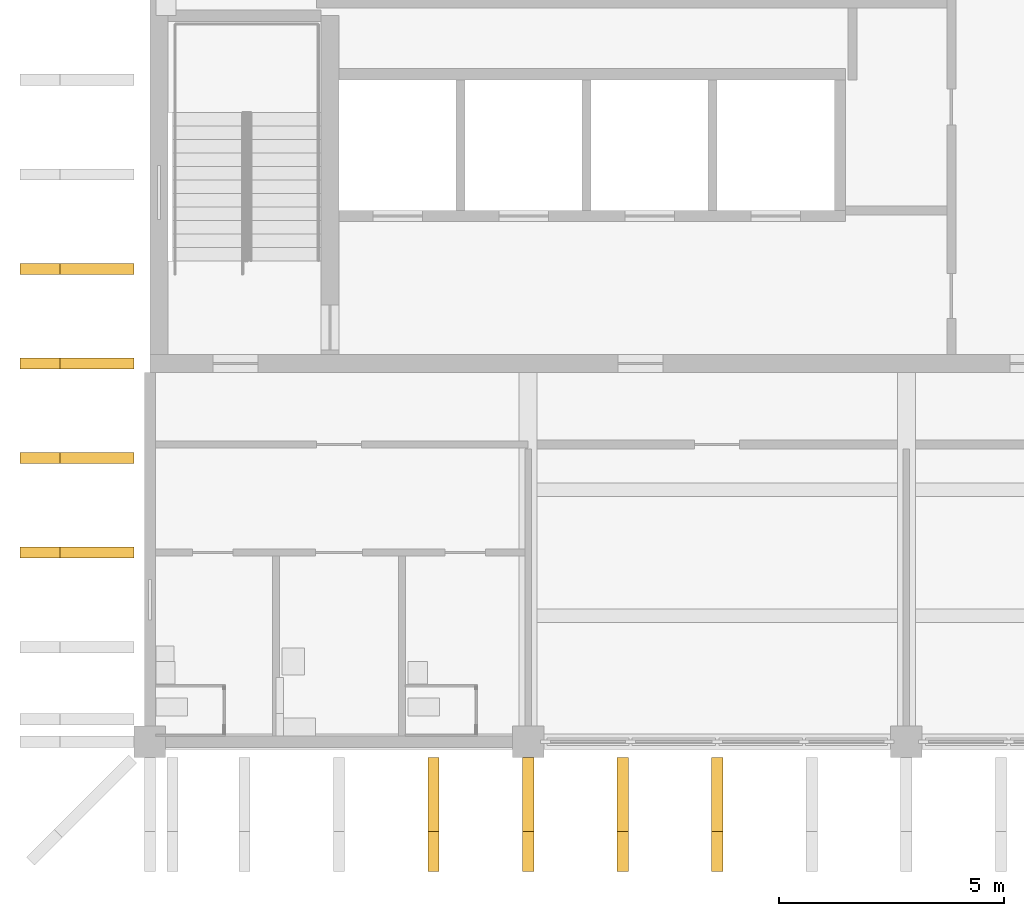
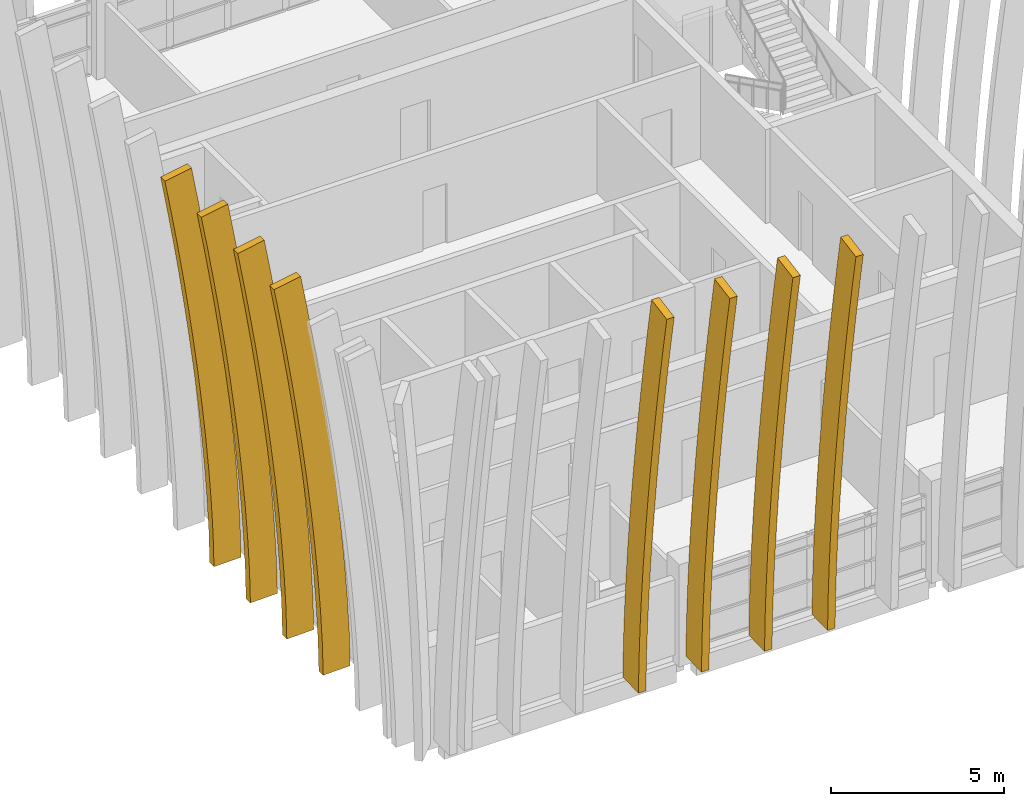
# One storey, part 10 of 19: 8 shading devices.
"""IFC4 building model written with IfcOpenShell, lengths in metres."""

from ifc_helpers import new_model, si_unit, direction, frame, origin, origin_2d, place, context, subcontext, project, spatial, rectangle, faceted_brep, material, material_profile, profile_set, type_object, element, save


model = new_model("IFC4")

# Units and contexts
model_context = context("Model", 3, precision=1e-05, world=origin(), true_north=direction((0.0, 1.0)))
body_context = subcontext(model_context, "Body", "Model", "MODEL_VIEW")
ifc_project = project(units=[si_unit("LENGTHUNIT", "METRE"), si_unit("AREAUNIT", "SQUARE_METRE"), si_unit("VOLUMEUNIT", "CUBIC_METRE"), si_unit("PLANEANGLEUNIT", "RADIAN"), si_unit("MASSUNIT", "GRAM", prefix="KILO")], contexts=[model_context])

# Site, building, storey
site_placement = place(None, origin())
site = spatial("IfcSite", under=ifc_project, at=site_placement, CompositionType="ELEMENT")
building_placement = place(site_placement, origin())
building = spatial("IfcBuilding", under=site, at=building_placement, Name="Rulbaag Community and Learning Centre", CompositionType="ELEMENT")
storey_placement = place(building_placement, frame((0.0, 0.0, 57.60009765625)))
storey = spatial("IfcBuildingStorey", under=building, at=storey_placement, Name="L15", CompositionType="ELEMENT", Elevation=57.60009765625)

# Shading devices
ifc_material = material(Name="Concrete M40", Category="concrete")
ifc_material_profile = material_profile(ifc_material, rectangle(XDim=0.25, YDim=0.89990234375, at=origin_2d()), Name="PC 250x900")
ifc_profile_set = profile_set([ifc_material_profile], Name="Concrete M40")
shading_device_type = type_object("IfcShadingDeviceType", Name="FIN-H", PredefinedType="JALOUSIE", material=ifc_profile_set)
shading_device_1_placement = place(storey_placement, frame((0.0, 0.0, -57.60009765625)))
element("IfcShadingDevice", 1, at=shading_device_1_placement, inside=storey, type_object=shading_device_type, Name="Precast crown fin", PredefinedType="JALOUSIE", context=body_context, shape_type="Brep", body=[
    faceted_brep([(148.97509765625, 82.75, 57.587646484375), (149.22509765625, 82.75, 57.587646484375), (149.22509765625, 83.64990234375, 57.611083984375), (148.97509765625, 83.64990234375, 57.611083984375), (148.97509765625, 82.00048828125, 71.89794921875), (149.22509765625, 82.00048828125, 71.89794921875), (149.22509765625, 81.11474609375, 71.73876953125), (148.97509765625, 81.11474609375, 71.73876953125), (149.22509765625, 83.619140625, 58.790771484375), (148.97509765625, 83.619140625, 58.790771484375), (149.22509765625, 82.7197265625, 58.755126953125), (148.97509765625, 82.7197265625, 58.755126953125), (149.22509765625, 83.55615234375, 59.983154296875), (148.97509765625, 83.55615234375, 59.983154296875), (149.22509765625, 82.65771484375, 59.927001953125), (148.97509765625, 82.65771484375, 59.927001953125), (149.22509765625, 83.470458984375, 61.1748046875), (148.97509765625, 83.470458984375, 61.1748046875), (149.22509765625, 82.573486328125, 61.10302734375), (148.97509765625, 82.573486328125, 61.10302734375), (149.22509765625, 83.365478515625, 62.36669921875), (148.97509765625, 83.365478515625, 62.36669921875), (149.22509765625, 82.469482421875, 62.28125), (148.97509765625, 82.469482421875, 62.28125), (149.22509765625, 83.243408203125, 63.558349609375), (148.97509765625, 83.243408203125, 63.558349609375), (149.22509765625, 82.348876953125, 63.460693359375), (148.97509765625, 82.348876953125, 63.460693359375), (149.22509765625, 83.105712890625, 64.75), (148.97509765625, 83.105712890625, 64.75), (149.22509765625, 82.212158203125, 64.64111328125), (148.97509765625, 82.212158203125, 64.64111328125), (149.22509765625, 82.953369140625, 65.941650390625), (148.97509765625, 82.953369140625, 65.941650390625), (149.22509765625, 82.061279296875, 65.822509765625), (148.97509765625, 82.061279296875, 65.822509765625), (149.22509765625, 82.78759765625, 67.13330078125), (148.97509765625, 82.78759765625, 67.13330078125), (149.22509765625, 81.89697265625, 67.00439453125), (148.97509765625, 81.89697265625, 67.00439453125), (149.22509765625, 82.608642578125, 68.324951171875), (148.97509765625, 82.608642578125, 68.324951171875), (149.22509765625, 81.719482421875, 68.186767578125), (148.97509765625, 81.719482421875, 68.186767578125), (149.22509765625, 82.417236328125, 69.5166015625), (148.97509765625, 82.417236328125, 69.5166015625), (149.22509765625, 81.529541015625, 69.36962890625), (148.97509765625, 81.529541015625, 69.36962890625), (149.22509765625, 82.214599609375, 70.708251953125), (148.97509765625, 82.214599609375, 70.708251953125), (149.22509765625, 81.327880859375, 70.552978515625), (148.97509765625, 81.327880859375, 70.552978515625)], [[[0, 1, 2, 3]], [[4, 5, 6, 7]], [[3, 2, 8, 9]], [[2, 1, 10, 8]], [[1, 0, 11, 10]], [[0, 3, 9, 11]], [[9, 8, 12, 13]], [[8, 10, 14, 12]], [[10, 11, 15, 14]], [[11, 9, 13, 15]], [[13, 12, 16, 17]], [[12, 14, 18, 16]], [[14, 15, 19, 18]], [[15, 13, 17, 19]], [[17, 16, 20, 21]], [[16, 18, 22, 20]], [[18, 19, 23, 22]], [[19, 17, 21, 23]], [[21, 20, 24, 25]], [[20, 22, 26, 24]], [[22, 23, 27, 26]], [[23, 21, 25, 27]], [[25, 24, 28, 29]], [[24, 26, 30, 28]], [[26, 27, 31, 30]], [[27, 25, 29, 31]], [[29, 28, 32, 33]], [[28, 30, 34, 32]], [[30, 31, 35, 34]], [[31, 29, 33, 35]], [[33, 32, 36, 37]], [[32, 34, 38, 36]], [[34, 35, 39, 38]], [[35, 33, 37, 39]], [[37, 36, 40, 41]], [[36, 38, 42, 40]], [[38, 39, 43, 42]], [[39, 37, 41, 43]], [[41, 40, 44, 45]], [[40, 42, 46, 44]], [[42, 43, 47, 46]], [[43, 41, 45, 47]], [[45, 44, 48, 49]], [[44, 46, 50, 48]], [[46, 47, 51, 50]], [[47, 45, 49, 51]], [[49, 48, 5, 4]], [[48, 50, 6, 5]], [[50, 51, 7, 6]], [[51, 49, 4, 7]]]),
])
shading_device_2_placement = place(storey_placement, frame((0.0, 0.0, -57.60009765625)))
element("IfcShadingDevice", 2, at=shading_device_2_placement, inside=storey, type_object=shading_device_type, Name="Precast crown fin", PredefinedType="JALOUSIE", context=body_context, shape_type="Brep", body=[
    faceted_brep([(151.074951171875, 82.75, 57.587646484375), (151.324951171875, 82.75, 57.587646484375), (151.324951171875, 83.64990234375, 57.611083984375), (151.074951171875, 83.64990234375, 57.611083984375), (151.074951171875, 82.00048828125, 71.89794921875), (151.324951171875, 82.00048828125, 71.89794921875), (151.324951171875, 81.11474609375, 71.73876953125), (151.074951171875, 81.11474609375, 71.73876953125), (151.324951171875, 83.619140625, 58.790771484375), (151.074951171875, 83.619140625, 58.790771484375), (151.324951171875, 82.7197265625, 58.755126953125), (151.074951171875, 82.7197265625, 58.755126953125), (151.324951171875, 83.55615234375, 59.983154296875), (151.074951171875, 83.55615234375, 59.983154296875), (151.324951171875, 82.65771484375, 59.927001953125), (151.074951171875, 82.65771484375, 59.927001953125), (151.324951171875, 83.470458984375, 61.1748046875), (151.074951171875, 83.470458984375, 61.1748046875), (151.324951171875, 82.573486328125, 61.10302734375), (151.074951171875, 82.573486328125, 61.10302734375), (151.324951171875, 83.365478515625, 62.36669921875), (151.074951171875, 83.365478515625, 62.36669921875), (151.324951171875, 82.469482421875, 62.28125), (151.074951171875, 82.469482421875, 62.28125), (151.324951171875, 83.243408203125, 63.558349609375), (151.074951171875, 83.243408203125, 63.558349609375), (151.324951171875, 82.348876953125, 63.460693359375), (151.074951171875, 82.348876953125, 63.460693359375), (151.324951171875, 83.105712890625, 64.75), (151.074951171875, 83.105712890625, 64.75), (151.324951171875, 82.212158203125, 64.64111328125), (151.074951171875, 82.212158203125, 64.64111328125), (151.324951171875, 82.953369140625, 65.941650390625), (151.074951171875, 82.953369140625, 65.941650390625), (151.324951171875, 82.061279296875, 65.822509765625), (151.074951171875, 82.061279296875, 65.822509765625), (151.324951171875, 82.78759765625, 67.13330078125), (151.074951171875, 82.78759765625, 67.13330078125), (151.324951171875, 81.89697265625, 67.00439453125), (151.074951171875, 81.89697265625, 67.00439453125), (151.324951171875, 82.608642578125, 68.324951171875), (151.074951171875, 82.608642578125, 68.324951171875), (151.324951171875, 81.719482421875, 68.186767578125), (151.074951171875, 81.719482421875, 68.186767578125), (151.324951171875, 82.417236328125, 69.5166015625), (151.074951171875, 82.417236328125, 69.5166015625), (151.324951171875, 81.529541015625, 69.36962890625), (151.074951171875, 81.529541015625, 69.36962890625), (151.324951171875, 82.214599609375, 70.708251953125), (151.074951171875, 82.214599609375, 70.708251953125), (151.324951171875, 81.327880859375, 70.552978515625), (151.074951171875, 81.327880859375, 70.552978515625)], [[[0, 1, 2, 3]], [[4, 5, 6, 7]], [[3, 2, 8, 9]], [[2, 1, 10, 8]], [[1, 0, 11, 10]], [[0, 3, 9, 11]], [[9, 8, 12, 13]], [[8, 10, 14, 12]], [[10, 11, 15, 14]], [[11, 9, 13, 15]], [[13, 12, 16, 17]], [[12, 14, 18, 16]], [[14, 15, 19, 18]], [[15, 13, 17, 19]], [[17, 16, 20, 21]], [[16, 18, 22, 20]], [[18, 19, 23, 22]], [[19, 17, 21, 23]], [[21, 20, 24, 25]], [[20, 22, 26, 24]], [[22, 23, 27, 26]], [[23, 21, 25, 27]], [[25, 24, 28, 29]], [[24, 26, 30, 28]], [[26, 27, 31, 30]], [[27, 25, 29, 31]], [[29, 28, 32, 33]], [[28, 30, 34, 32]], [[30, 31, 35, 34]], [[31, 29, 33, 35]], [[33, 32, 36, 37]], [[32, 34, 38, 36]], [[34, 35, 39, 38]], [[35, 33, 37, 39]], [[37, 36, 40, 41]], [[36, 38, 42, 40]], [[38, 39, 43, 42]], [[39, 37, 41, 43]], [[41, 40, 44, 45]], [[40, 42, 46, 44]], [[42, 43, 47, 46]], [[43, 41, 45, 47]], [[45, 44, 48, 49]], [[44, 46, 50, 48]], [[46, 47, 51, 50]], [[47, 45, 49, 51]], [[49, 48, 5, 4]], [[48, 50, 6, 5]], [[50, 51, 7, 6]], [[51, 49, 4, 7]]]),
])
shading_device_3_placement = place(storey_placement, frame((0.0, 0.0, -57.60009765625)))
element("IfcShadingDevice", 3, at=shading_device_3_placement, inside=storey, type_object=shading_device_type, Name="Precast crown fin", PredefinedType="JALOUSIE", context=body_context, shape_type="Brep", body=[
    faceted_brep([(153.175048828125, 82.75, 57.587646484375), (153.425048828125, 82.75, 57.587646484375), (153.425048828125, 83.64990234375, 57.611083984375), (153.175048828125, 83.64990234375, 57.611083984375), (153.175048828125, 82.00048828125, 71.89794921875), (153.425048828125, 82.00048828125, 71.89794921875), (153.425048828125, 81.11474609375, 71.73876953125), (153.175048828125, 81.11474609375, 71.73876953125), (153.425048828125, 83.619140625, 58.790771484375), (153.175048828125, 83.619140625, 58.790771484375), (153.425048828125, 82.7197265625, 58.755126953125), (153.175048828125, 82.7197265625, 58.755126953125), (153.425048828125, 83.55615234375, 59.983154296875), (153.175048828125, 83.55615234375, 59.983154296875), (153.425048828125, 82.65771484375, 59.927001953125), (153.175048828125, 82.65771484375, 59.927001953125), (153.425048828125, 83.470458984375, 61.1748046875), (153.175048828125, 83.470458984375, 61.1748046875), (153.425048828125, 82.573486328125, 61.10302734375), (153.175048828125, 82.573486328125, 61.10302734375), (153.425048828125, 83.365478515625, 62.36669921875), (153.175048828125, 83.365478515625, 62.36669921875), (153.425048828125, 82.469482421875, 62.28125), (153.175048828125, 82.469482421875, 62.28125), (153.425048828125, 83.243408203125, 63.558349609375), (153.175048828125, 83.243408203125, 63.558349609375), (153.425048828125, 82.348876953125, 63.460693359375), (153.175048828125, 82.348876953125, 63.460693359375), (153.425048828125, 83.105712890625, 64.75), (153.175048828125, 83.105712890625, 64.75), (153.425048828125, 82.212158203125, 64.64111328125), (153.175048828125, 82.212158203125, 64.64111328125), (153.425048828125, 82.953369140625, 65.941650390625), (153.175048828125, 82.953369140625, 65.941650390625), (153.425048828125, 82.061279296875, 65.822509765625), (153.175048828125, 82.061279296875, 65.822509765625), (153.425048828125, 82.78759765625, 67.13330078125), (153.175048828125, 82.78759765625, 67.13330078125), (153.425048828125, 81.89697265625, 67.00439453125), (153.175048828125, 81.89697265625, 67.00439453125), (153.425048828125, 82.608642578125, 68.324951171875), (153.175048828125, 82.608642578125, 68.324951171875), (153.425048828125, 81.719482421875, 68.186767578125), (153.175048828125, 81.719482421875, 68.186767578125), (153.425048828125, 82.417236328125, 69.5166015625), (153.175048828125, 82.417236328125, 69.5166015625), (153.425048828125, 81.529541015625, 69.36962890625), (153.175048828125, 81.529541015625, 69.36962890625), (153.425048828125, 82.214599609375, 70.708251953125), (153.175048828125, 82.214599609375, 70.708251953125), (153.425048828125, 81.327880859375, 70.552978515625), (153.175048828125, 81.327880859375, 70.552978515625)], [[[0, 1, 2, 3]], [[4, 5, 6, 7]], [[3, 2, 8, 9]], [[2, 1, 10, 8]], [[1, 0, 11, 10]], [[0, 3, 9, 11]], [[9, 8, 12, 13]], [[8, 10, 14, 12]], [[10, 11, 15, 14]], [[11, 9, 13, 15]], [[13, 12, 16, 17]], [[12, 14, 18, 16]], [[14, 15, 19, 18]], [[15, 13, 17, 19]], [[17, 16, 20, 21]], [[16, 18, 22, 20]], [[18, 19, 23, 22]], [[19, 17, 21, 23]], [[21, 20, 24, 25]], [[20, 22, 26, 24]], [[22, 23, 27, 26]], [[23, 21, 25, 27]], [[25, 24, 28, 29]], [[24, 26, 30, 28]], [[26, 27, 31, 30]], [[27, 25, 29, 31]], [[29, 28, 32, 33]], [[28, 30, 34, 32]], [[30, 31, 35, 34]], [[31, 29, 33, 35]], [[33, 32, 36, 37]], [[32, 34, 38, 36]], [[34, 35, 39, 38]], [[35, 33, 37, 39]], [[37, 36, 40, 41]], [[36, 38, 42, 40]], [[38, 39, 43, 42]], [[39, 37, 41, 43]], [[41, 40, 44, 45]], [[40, 42, 46, 44]], [[42, 43, 47, 46]], [[43, 41, 45, 47]], [[45, 44, 48, 49]], [[44, 46, 50, 48]], [[46, 47, 51, 50]], [[47, 45, 49, 51]], [[49, 48, 5, 4]], [[48, 50, 6, 5]], [[50, 51, 7, 6]], [[51, 49, 4, 7]]]),
])
shading_device_4_placement = place(storey_placement, frame((0.0, 0.0, -57.60009765625)))
element("IfcShadingDevice", 4, at=shading_device_4_placement, inside=storey, type_object=shading_device_type, Name="Precast crown fin", PredefinedType="JALOUSIE", context=body_context, shape_type="Brep", body=[
    faceted_brep([(155.27490234375, 82.75, 57.587646484375), (155.52490234375, 82.75, 57.587646484375), (155.52490234375, 83.64990234375, 57.611083984375), (155.27490234375, 83.64990234375, 57.611083984375), (155.27490234375, 82.00048828125, 71.89794921875), (155.52490234375, 82.00048828125, 71.89794921875), (155.52490234375, 81.11474609375, 71.73876953125), (155.27490234375, 81.11474609375, 71.73876953125), (155.52490234375, 83.619140625, 58.790771484375), (155.27490234375, 83.619140625, 58.790771484375), (155.52490234375, 82.7197265625, 58.755126953125), (155.27490234375, 82.7197265625, 58.755126953125), (155.52490234375, 83.55615234375, 59.983154296875), (155.27490234375, 83.55615234375, 59.983154296875), (155.52490234375, 82.65771484375, 59.927001953125), (155.27490234375, 82.65771484375, 59.927001953125), (155.52490234375, 83.470458984375, 61.1748046875), (155.27490234375, 83.470458984375, 61.1748046875), (155.52490234375, 82.573486328125, 61.10302734375), (155.27490234375, 82.573486328125, 61.10302734375), (155.52490234375, 83.365478515625, 62.36669921875), (155.27490234375, 83.365478515625, 62.36669921875), (155.52490234375, 82.469482421875, 62.28125), (155.27490234375, 82.469482421875, 62.28125), (155.52490234375, 83.243408203125, 63.558349609375), (155.27490234375, 83.243408203125, 63.558349609375), (155.52490234375, 82.348876953125, 63.460693359375), (155.27490234375, 82.348876953125, 63.460693359375), (155.52490234375, 83.105712890625, 64.75), (155.27490234375, 83.105712890625, 64.75), (155.52490234375, 82.212158203125, 64.64111328125), (155.27490234375, 82.212158203125, 64.64111328125), (155.52490234375, 82.953369140625, 65.941650390625), (155.27490234375, 82.953369140625, 65.941650390625), (155.52490234375, 82.061279296875, 65.822509765625), (155.27490234375, 82.061279296875, 65.822509765625), (155.52490234375, 82.78759765625, 67.13330078125), (155.27490234375, 82.78759765625, 67.13330078125), (155.52490234375, 81.89697265625, 67.00439453125), (155.27490234375, 81.89697265625, 67.00439453125), (155.52490234375, 82.608642578125, 68.324951171875), (155.27490234375, 82.608642578125, 68.324951171875), (155.52490234375, 81.719482421875, 68.186767578125), (155.27490234375, 81.719482421875, 68.186767578125), (155.52490234375, 82.417236328125, 69.5166015625), (155.27490234375, 82.417236328125, 69.5166015625), (155.52490234375, 81.529541015625, 69.36962890625), (155.27490234375, 81.529541015625, 69.36962890625), (155.52490234375, 82.214599609375, 70.708251953125), (155.27490234375, 82.214599609375, 70.708251953125), (155.52490234375, 81.327880859375, 70.552978515625), (155.27490234375, 81.327880859375, 70.552978515625)], [[[0, 1, 2, 3]], [[4, 5, 6, 7]], [[3, 2, 8, 9]], [[2, 1, 10, 8]], [[1, 0, 11, 10]], [[0, 3, 9, 11]], [[9, 8, 12, 13]], [[8, 10, 14, 12]], [[10, 11, 15, 14]], [[11, 9, 13, 15]], [[13, 12, 16, 17]], [[12, 14, 18, 16]], [[14, 15, 19, 18]], [[15, 13, 17, 19]], [[17, 16, 20, 21]], [[16, 18, 22, 20]], [[18, 19, 23, 22]], [[19, 17, 21, 23]], [[21, 20, 24, 25]], [[20, 22, 26, 24]], [[22, 23, 27, 26]], [[23, 21, 25, 27]], [[25, 24, 28, 29]], [[24, 26, 30, 28]], [[26, 27, 31, 30]], [[27, 25, 29, 31]], [[29, 28, 32, 33]], [[28, 30, 34, 32]], [[30, 31, 35, 34]], [[31, 29, 33, 35]], [[33, 32, 36, 37]], [[32, 34, 38, 36]], [[34, 35, 39, 38]], [[35, 33, 37, 39]], [[37, 36, 40, 41]], [[36, 38, 42, 40]], [[38, 39, 43, 42]], [[39, 37, 41, 43]], [[41, 40, 44, 45]], [[40, 42, 46, 44]], [[42, 43, 47, 46]], [[43, 41, 45, 47]], [[45, 44, 48, 49]], [[44, 46, 50, 48]], [[46, 47, 51, 50]], [[47, 45, 49, 51]], [[49, 48, 5, 4]], [[48, 50, 6, 5]], [[50, 51, 7, 6]], [[51, 49, 4, 7]]]),
])
shading_device_5_placement = place(storey_placement, frame((0.0, 0.0, -57.60009765625)))
element("IfcShadingDevice", 5, at=shading_device_5_placement, inside=storey, type_object=shading_device_type, Name="Precast crown fin", PredefinedType="JALOUSIE", context=body_context, shape_type="Brep", body=[
    faceted_brep([(141.550048828125, 88.074951171875, 57.587646484375), (141.550048828125, 88.324951171875, 57.587646484375), (142.449951171875, 88.324951171875, 57.611083984375), (142.449951171875, 88.074951171875, 57.611083984375), (140.80029296875, 88.074951171875, 71.898193359375), (140.80029296875, 88.324951171875, 71.898193359375), (139.91455078125, 88.324951171875, 71.738525390625), (139.91455078125, 88.074951171875, 71.738525390625), (142.419189453125, 88.324951171875, 58.790771484375), (142.419189453125, 88.074951171875, 58.790771484375), (141.519775390625, 88.324951171875, 58.755126953125), (141.519775390625, 88.074951171875, 58.755126953125), (142.356201171875, 88.324951171875, 59.983154296875), (142.356201171875, 88.074951171875, 59.983154296875), (141.457763671875, 88.324951171875, 59.927001953125), (141.457763671875, 88.074951171875, 59.927001953125), (142.2705078125, 88.324951171875, 61.1748046875), (142.2705078125, 88.074951171875, 61.1748046875), (141.37353515625, 88.324951171875, 61.10302734375), (141.37353515625, 88.074951171875, 61.10302734375), (142.16552734375, 88.324951171875, 62.36669921875), (142.16552734375, 88.074951171875, 62.36669921875), (141.26953125, 88.324951171875, 62.28125), (141.26953125, 88.074951171875, 62.28125), (142.04345703125, 88.324951171875, 63.558349609375), (142.04345703125, 88.074951171875, 63.558349609375), (141.14892578125, 88.324951171875, 63.460693359375), (141.14892578125, 88.074951171875, 63.460693359375), (141.90576171875, 88.324951171875, 64.75), (141.90576171875, 88.074951171875, 64.75), (141.01220703125, 88.324951171875, 64.64111328125), (141.01220703125, 88.074951171875, 64.64111328125), (141.75341796875, 88.324951171875, 65.941650390625), (141.75341796875, 88.074951171875, 65.941650390625), (140.861328125, 88.324951171875, 65.822509765625), (140.861328125, 88.074951171875, 65.822509765625), (141.58740234375, 88.324951171875, 67.13330078125), (141.58740234375, 88.074951171875, 67.13330078125), (140.69677734375, 88.324951171875, 67.00439453125), (140.69677734375, 88.074951171875, 67.00439453125), (141.40869140625, 88.324951171875, 68.324951171875), (141.40869140625, 88.074951171875, 68.324951171875), (140.51953125, 88.324951171875, 68.186767578125), (140.51953125, 88.074951171875, 68.186767578125), (141.21728515625, 88.324951171875, 69.5166015625), (141.21728515625, 88.074951171875, 69.5166015625), (140.32958984375, 88.324951171875, 69.36962890625), (140.32958984375, 88.074951171875, 69.36962890625), (141.0146484375, 88.324951171875, 70.708251953125), (141.0146484375, 88.074951171875, 70.708251953125), (140.1279296875, 88.324951171875, 70.552978515625), (140.1279296875, 88.074951171875, 70.552978515625)], [[[0, 1, 2, 3]], [[4, 5, 6, 7]], [[3, 2, 8, 9]], [[2, 1, 10, 8]], [[1, 0, 11, 10]], [[0, 3, 9, 11]], [[9, 8, 12, 13]], [[8, 10, 14, 12]], [[10, 11, 15, 14]], [[11, 9, 13, 15]], [[13, 12, 16, 17]], [[12, 14, 18, 16]], [[14, 15, 19, 18]], [[15, 13, 17, 19]], [[17, 16, 20, 21]], [[16, 18, 22, 20]], [[18, 19, 23, 22]], [[19, 17, 21, 23]], [[21, 20, 24, 25]], [[20, 22, 26, 24]], [[22, 23, 27, 26]], [[23, 21, 25, 27]], [[25, 24, 28, 29]], [[24, 26, 30, 28]], [[26, 27, 31, 30]], [[27, 25, 29, 31]], [[29, 28, 32, 33]], [[28, 30, 34, 32]], [[30, 31, 35, 34]], [[31, 29, 33, 35]], [[33, 32, 36, 37]], [[32, 34, 38, 36]], [[34, 35, 39, 38]], [[35, 33, 37, 39]], [[37, 36, 40, 41]], [[36, 38, 42, 40]], [[38, 39, 43, 42]], [[39, 37, 41, 43]], [[41, 40, 44, 45]], [[40, 42, 46, 44]], [[42, 43, 47, 46]], [[43, 41, 45, 47]], [[45, 44, 48, 49]], [[44, 46, 50, 48]], [[46, 47, 51, 50]], [[47, 45, 49, 51]], [[49, 48, 5, 4]], [[48, 50, 6, 5]], [[50, 51, 7, 6]], [[51, 49, 4, 7]]]),
])
shading_device_6_placement = place(storey_placement, frame((0.0, 0.0, -57.60009765625)))
element("IfcShadingDevice", 6, at=shading_device_6_placement, inside=storey, type_object=shading_device_type, Name="Precast crown fin", PredefinedType="JALOUSIE", context=body_context, shape_type="Brep", body=[
    faceted_brep([(141.550048828125, 90.175048828125, 57.587646484375), (141.550048828125, 90.425048828125, 57.587646484375), (142.449951171875, 90.425048828125, 57.611083984375), (142.449951171875, 90.175048828125, 57.611083984375), (140.80029296875, 90.175048828125, 71.898193359375), (140.80029296875, 90.425048828125, 71.898193359375), (139.91455078125, 90.425048828125, 71.738525390625), (139.91455078125, 90.175048828125, 71.738525390625), (142.419189453125, 90.425048828125, 58.790771484375), (142.419189453125, 90.175048828125, 58.790771484375), (141.519775390625, 90.425048828125, 58.755126953125), (141.519775390625, 90.175048828125, 58.755126953125), (142.356201171875, 90.425048828125, 59.983154296875), (142.356201171875, 90.175048828125, 59.983154296875), (141.457763671875, 90.425048828125, 59.927001953125), (141.457763671875, 90.175048828125, 59.927001953125), (142.2705078125, 90.425048828125, 61.1748046875), (142.2705078125, 90.175048828125, 61.1748046875), (141.37353515625, 90.425048828125, 61.10302734375), (141.37353515625, 90.175048828125, 61.10302734375), (142.16552734375, 90.425048828125, 62.36669921875), (142.16552734375, 90.175048828125, 62.36669921875), (141.26953125, 90.425048828125, 62.28125), (141.26953125, 90.175048828125, 62.28125), (142.04345703125, 90.425048828125, 63.558349609375), (142.04345703125, 90.175048828125, 63.558349609375), (141.14892578125, 90.425048828125, 63.460693359375), (141.14892578125, 90.175048828125, 63.460693359375), (141.90576171875, 90.425048828125, 64.75), (141.90576171875, 90.175048828125, 64.75), (141.01220703125, 90.425048828125, 64.64111328125), (141.01220703125, 90.175048828125, 64.64111328125), (141.75341796875, 90.425048828125, 65.941650390625), (141.75341796875, 90.175048828125, 65.941650390625), (140.861328125, 90.425048828125, 65.822509765625), (140.861328125, 90.175048828125, 65.822509765625), (141.58740234375, 90.425048828125, 67.13330078125), (141.58740234375, 90.175048828125, 67.13330078125), (140.69677734375, 90.425048828125, 67.00439453125), (140.69677734375, 90.175048828125, 67.00439453125), (141.40869140625, 90.425048828125, 68.324951171875), (141.40869140625, 90.175048828125, 68.324951171875), (140.51953125, 90.425048828125, 68.186767578125), (140.51953125, 90.175048828125, 68.186767578125), (141.21728515625, 90.425048828125, 69.5166015625), (141.21728515625, 90.175048828125, 69.5166015625), (140.32958984375, 90.425048828125, 69.36962890625), (140.32958984375, 90.175048828125, 69.36962890625), (141.0146484375, 90.425048828125, 70.708251953125), (141.0146484375, 90.175048828125, 70.708251953125), (140.1279296875, 90.425048828125, 70.552978515625), (140.1279296875, 90.175048828125, 70.552978515625)], [[[0, 1, 2, 3]], [[4, 5, 6, 7]], [[3, 2, 8, 9]], [[2, 1, 10, 8]], [[1, 0, 11, 10]], [[0, 3, 9, 11]], [[9, 8, 12, 13]], [[8, 10, 14, 12]], [[10, 11, 15, 14]], [[11, 9, 13, 15]], [[13, 12, 16, 17]], [[12, 14, 18, 16]], [[14, 15, 19, 18]], [[15, 13, 17, 19]], [[17, 16, 20, 21]], [[16, 18, 22, 20]], [[18, 19, 23, 22]], [[19, 17, 21, 23]], [[21, 20, 24, 25]], [[20, 22, 26, 24]], [[22, 23, 27, 26]], [[23, 21, 25, 27]], [[25, 24, 28, 29]], [[24, 26, 30, 28]], [[26, 27, 31, 30]], [[27, 25, 29, 31]], [[29, 28, 32, 33]], [[28, 30, 34, 32]], [[30, 31, 35, 34]], [[31, 29, 33, 35]], [[33, 32, 36, 37]], [[32, 34, 38, 36]], [[34, 35, 39, 38]], [[35, 33, 37, 39]], [[37, 36, 40, 41]], [[36, 38, 42, 40]], [[38, 39, 43, 42]], [[39, 37, 41, 43]], [[41, 40, 44, 45]], [[40, 42, 46, 44]], [[42, 43, 47, 46]], [[43, 41, 45, 47]], [[45, 44, 48, 49]], [[44, 46, 50, 48]], [[46, 47, 51, 50]], [[47, 45, 49, 51]], [[49, 48, 5, 4]], [[48, 50, 6, 5]], [[50, 51, 7, 6]], [[51, 49, 4, 7]]]),
])
shading_device_7_placement = place(storey_placement, frame((0.0, 0.0, -57.60009765625)))
element("IfcShadingDevice", 7, at=shading_device_7_placement, inside=storey, type_object=shading_device_type, Name="Precast crown fin", PredefinedType="JALOUSIE", context=body_context, shape_type="Brep", body=[
    faceted_brep([(141.550048828125, 92.27490234375, 57.587646484375), (141.550048828125, 92.52490234375, 57.587646484375), (142.449951171875, 92.52490234375, 57.611083984375), (142.449951171875, 92.27490234375, 57.611083984375), (140.80029296875, 92.27490234375, 71.898193359375), (140.80029296875, 92.52490234375, 71.898193359375), (139.91455078125, 92.52490234375, 71.738525390625), (139.91455078125, 92.27490234375, 71.738525390625), (142.419189453125, 92.52490234375, 58.790771484375), (142.419189453125, 92.27490234375, 58.790771484375), (141.519775390625, 92.52490234375, 58.755126953125), (141.519775390625, 92.27490234375, 58.755126953125), (142.356201171875, 92.52490234375, 59.983154296875), (142.356201171875, 92.27490234375, 59.983154296875), (141.457763671875, 92.52490234375, 59.927001953125), (141.457763671875, 92.27490234375, 59.927001953125), (142.2705078125, 92.52490234375, 61.1748046875), (142.2705078125, 92.27490234375, 61.1748046875), (141.37353515625, 92.52490234375, 61.10302734375), (141.37353515625, 92.27490234375, 61.10302734375), (142.16552734375, 92.52490234375, 62.36669921875), (142.16552734375, 92.27490234375, 62.36669921875), (141.26953125, 92.52490234375, 62.28125), (141.26953125, 92.27490234375, 62.28125), (142.04345703125, 92.52490234375, 63.558349609375), (142.04345703125, 92.27490234375, 63.558349609375), (141.14892578125, 92.52490234375, 63.460693359375), (141.14892578125, 92.27490234375, 63.460693359375), (141.90576171875, 92.52490234375, 64.75), (141.90576171875, 92.27490234375, 64.75), (141.01220703125, 92.52490234375, 64.64111328125), (141.01220703125, 92.27490234375, 64.64111328125), (141.75341796875, 92.52490234375, 65.941650390625), (141.75341796875, 92.27490234375, 65.941650390625), (140.861328125, 92.52490234375, 65.822509765625), (140.861328125, 92.27490234375, 65.822509765625), (141.58740234375, 92.52490234375, 67.13330078125), (141.58740234375, 92.27490234375, 67.13330078125), (140.69677734375, 92.52490234375, 67.00439453125), (140.69677734375, 92.27490234375, 67.00439453125), (141.40869140625, 92.52490234375, 68.324951171875), (141.40869140625, 92.27490234375, 68.324951171875), (140.51953125, 92.52490234375, 68.186767578125), (140.51953125, 92.27490234375, 68.186767578125), (141.21728515625, 92.52490234375, 69.5166015625), (141.21728515625, 92.27490234375, 69.5166015625), (140.32958984375, 92.52490234375, 69.36962890625), (140.32958984375, 92.27490234375, 69.36962890625), (141.0146484375, 92.52490234375, 70.708251953125), (141.0146484375, 92.27490234375, 70.708251953125), (140.1279296875, 92.52490234375, 70.552978515625), (140.1279296875, 92.27490234375, 70.552978515625)], [[[0, 1, 2, 3]], [[4, 5, 6, 7]], [[3, 2, 8, 9]], [[2, 1, 10, 8]], [[1, 0, 11, 10]], [[0, 3, 9, 11]], [[9, 8, 12, 13]], [[8, 10, 14, 12]], [[10, 11, 15, 14]], [[11, 9, 13, 15]], [[13, 12, 16, 17]], [[12, 14, 18, 16]], [[14, 15, 19, 18]], [[15, 13, 17, 19]], [[17, 16, 20, 21]], [[16, 18, 22, 20]], [[18, 19, 23, 22]], [[19, 17, 21, 23]], [[21, 20, 24, 25]], [[20, 22, 26, 24]], [[22, 23, 27, 26]], [[23, 21, 25, 27]], [[25, 24, 28, 29]], [[24, 26, 30, 28]], [[26, 27, 31, 30]], [[27, 25, 29, 31]], [[29, 28, 32, 33]], [[28, 30, 34, 32]], [[30, 31, 35, 34]], [[31, 29, 33, 35]], [[33, 32, 36, 37]], [[32, 34, 38, 36]], [[34, 35, 39, 38]], [[35, 33, 37, 39]], [[37, 36, 40, 41]], [[36, 38, 42, 40]], [[38, 39, 43, 42]], [[39, 37, 41, 43]], [[41, 40, 44, 45]], [[40, 42, 46, 44]], [[42, 43, 47, 46]], [[43, 41, 45, 47]], [[45, 44, 48, 49]], [[44, 46, 50, 48]], [[46, 47, 51, 50]], [[47, 45, 49, 51]], [[49, 48, 5, 4]], [[48, 50, 6, 5]], [[50, 51, 7, 6]], [[51, 49, 4, 7]]]),
])
shading_device_8_placement = place(storey_placement, frame((0.0, 0.0, -57.60009765625)))
element("IfcShadingDevice", 8, at=shading_device_8_placement, inside=storey, type_object=shading_device_type, Name="Precast crown fin", PredefinedType="JALOUSIE", context=body_context, shape_type="Brep", body=[
    faceted_brep([(141.550048828125, 94.375, 57.587646484375), (141.550048828125, 94.625, 57.587646484375), (142.449951171875, 94.625, 57.611083984375), (142.449951171875, 94.375, 57.611083984375), (140.80029296875, 94.375, 71.898193359375), (140.80029296875, 94.625, 71.898193359375), (139.91455078125, 94.625, 71.738525390625), (139.91455078125, 94.375, 71.738525390625), (142.419189453125, 94.625, 58.790771484375), (142.419189453125, 94.375, 58.790771484375), (141.519775390625, 94.625, 58.755126953125), (141.519775390625, 94.375, 58.755126953125), (142.356201171875, 94.625, 59.983154296875), (142.356201171875, 94.375, 59.983154296875), (141.457763671875, 94.625, 59.927001953125), (141.457763671875, 94.375, 59.927001953125), (142.2705078125, 94.625, 61.1748046875), (142.2705078125, 94.375, 61.1748046875), (141.37353515625, 94.625, 61.10302734375), (141.37353515625, 94.375, 61.10302734375), (142.16552734375, 94.625, 62.36669921875), (142.16552734375, 94.375, 62.36669921875), (141.26953125, 94.625, 62.28125), (141.26953125, 94.375, 62.28125), (142.04345703125, 94.625, 63.558349609375), (142.04345703125, 94.375, 63.558349609375), (141.14892578125, 94.625, 63.460693359375), (141.14892578125, 94.375, 63.460693359375), (141.90576171875, 94.625, 64.75), (141.90576171875, 94.375, 64.75), (141.01220703125, 94.625, 64.64111328125), (141.01220703125, 94.375, 64.64111328125), (141.75341796875, 94.625, 65.941650390625), (141.75341796875, 94.375, 65.941650390625), (140.861328125, 94.625, 65.822509765625), (140.861328125, 94.375, 65.822509765625), (141.58740234375, 94.625, 67.13330078125), (141.58740234375, 94.375, 67.13330078125), (140.69677734375, 94.625, 67.00439453125), (140.69677734375, 94.375, 67.00439453125), (141.40869140625, 94.625, 68.324951171875), (141.40869140625, 94.375, 68.324951171875), (140.51953125, 94.625, 68.186767578125), (140.51953125, 94.375, 68.186767578125), (141.21728515625, 94.625, 69.5166015625), (141.21728515625, 94.375, 69.5166015625), (140.32958984375, 94.625, 69.36962890625), (140.32958984375, 94.375, 69.36962890625), (141.0146484375, 94.625, 70.708251953125), (141.0146484375, 94.375, 70.708251953125), (140.1279296875, 94.625, 70.552978515625), (140.1279296875, 94.375, 70.552978515625)], [[[0, 1, 2, 3]], [[4, 5, 6, 7]], [[3, 2, 8, 9]], [[2, 1, 10, 8]], [[1, 0, 11, 10]], [[0, 3, 9, 11]], [[9, 8, 12, 13]], [[8, 10, 14, 12]], [[10, 11, 15, 14]], [[11, 9, 13, 15]], [[13, 12, 16, 17]], [[12, 14, 18, 16]], [[14, 15, 19, 18]], [[15, 13, 17, 19]], [[17, 16, 20, 21]], [[16, 18, 22, 20]], [[18, 19, 23, 22]], [[19, 17, 21, 23]], [[21, 20, 24, 25]], [[20, 22, 26, 24]], [[22, 23, 27, 26]], [[23, 21, 25, 27]], [[25, 24, 28, 29]], [[24, 26, 30, 28]], [[26, 27, 31, 30]], [[27, 25, 29, 31]], [[29, 28, 32, 33]], [[28, 30, 34, 32]], [[30, 31, 35, 34]], [[31, 29, 33, 35]], [[33, 32, 36, 37]], [[32, 34, 38, 36]], [[34, 35, 39, 38]], [[35, 33, 37, 39]], [[37, 36, 40, 41]], [[36, 38, 42, 40]], [[38, 39, 43, 42]], [[39, 37, 41, 43]], [[41, 40, 44, 45]], [[40, 42, 46, 44]], [[42, 43, 47, 46]], [[43, 41, 45, 47]], [[45, 44, 48, 49]], [[44, 46, 50, 48]], [[46, 47, 51, 50]], [[47, 45, 49, 51]], [[49, 48, 5, 4]], [[48, 50, 6, 5]], [[50, 51, 7, 6]], [[51, 49, 4, 7]]]),
])

save(model, "model.ifc")
